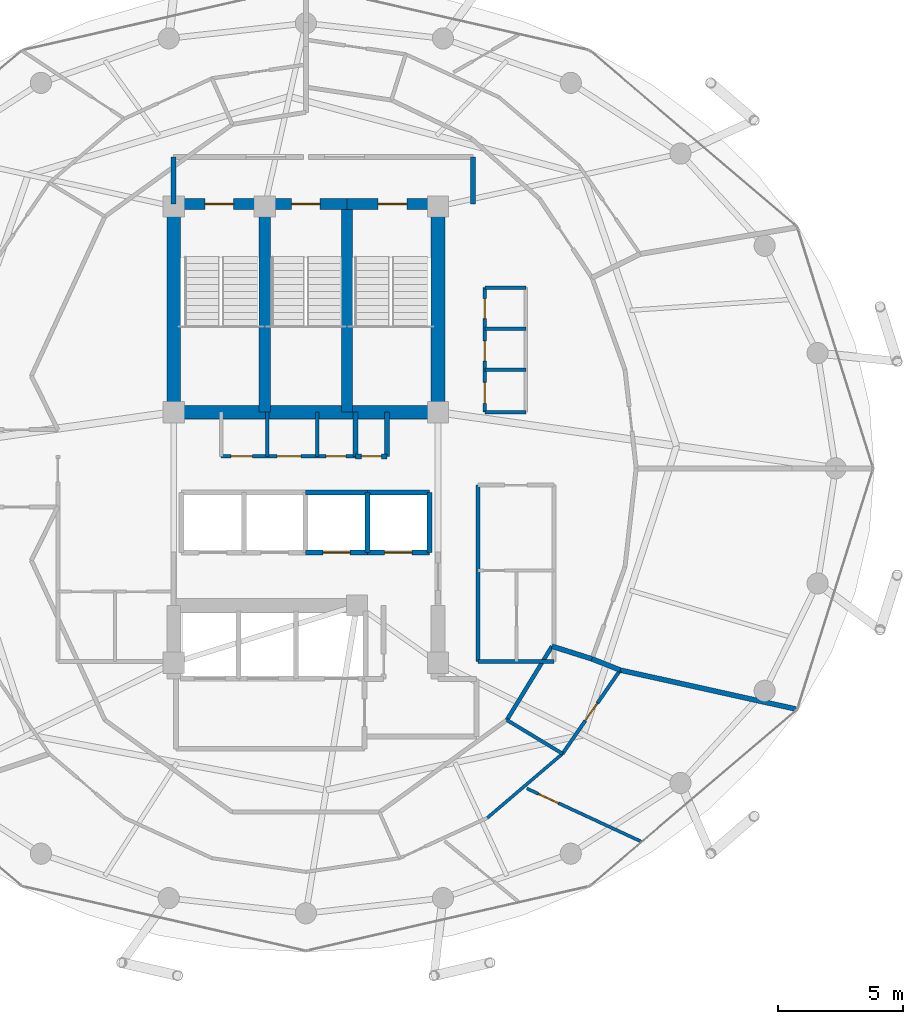
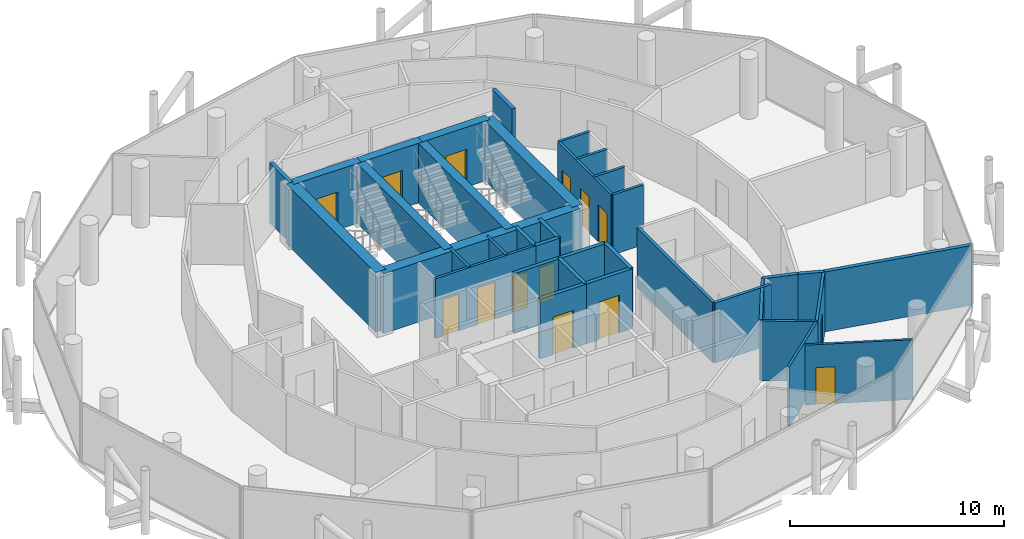
# One storey, part 24 of 27: 37 walls, 14 doors, 14 openings.
"""IFC4 building model written with IfcOpenShell, lengths in metres."""

from ifc_helpers import new_model, si_unit, direction, frame, frame_2d, origin, place, context, subcontext, project, spatial, rectangle, extrude, material, layer, layer_set, type_object, element, fill, save


model = new_model("IFC4")

# Units and contexts
model_context = context("Model", 3, precision=1e-05, world=origin(), true_north=direction((0.0, 1.0)))
body_context = subcontext(model_context, "Body", "Model", "MODEL_VIEW")
ifc_project = project(units=[si_unit("LENGTHUNIT", "METRE"), si_unit("AREAUNIT", "SQUARE_METRE"), si_unit("VOLUMEUNIT", "CUBIC_METRE"), si_unit("PLANEANGLEUNIT", "RADIAN"), si_unit("MASSUNIT", "GRAM", prefix="KILO")], contexts=[model_context])

# Site, building, storey
site_placement = place(None, origin())
site = spatial("IfcSite", under=ifc_project, at=site_placement, CompositionType="ELEMENT")
building_placement = place(site_placement, origin())
building = spatial("IfcBuilding", under=site, at=building_placement, Name="Nuhasar Tower", CompositionType="ELEMENT")
storey_placement = place(building_placement, frame((0.0, 0.0, 233.699951171875)))
storey = spatial("IfcBuildingStorey", under=building, at=storey_placement, Name="L57", CompositionType="ELEMENT", Elevation=233.699951171875)

# Wall, opening, door
ifc_material_1 = material(Name="Concrete C50/60", Category="concrete")
ifc_layer_1 = layer(ifc_material_1, 0.449951171875)
ifc_layer_set_1 = layer_set([ifc_layer_1], Name="Concrete C50/60")
wall_type_1 = type_object("IfcWallType", Name="WL-CORE-450", PredefinedType="SHEAR", material=ifc_layer_set_1)
wall_1_placement = place(storey_placement, frame((37.35009765625, 37.39990234375, 0.0), z_axis=(0.0, 0.0, 1.0), x_axis=(-1.0, 0.0, 0.0)))
wall_1 = element("IfcWall", 1, at=wall_1_placement, inside=storey, type_object=wall_type_1, Name="L57 Stairwell Shear Wall ST01-N", PredefinedType="SHEAR", context=body_context, shape_type="SweptSolid", body=[
    extrude(rectangle(XDim=3.650146484375, YDim=0.449951171875, at=frame_2d((1.8251953125, 0.0))), origin(), (0.0, 0.0, 1.0), 3.41015625),
])
opening_1_placement = place(wall_1_placement, frame((1.25, 0.0, 0.0)))
opening_1 = element("IfcOpeningElement", 2, at=opening_1_placement, cuts=wall_1, Name="Opening DS-01", PredefinedType="OPENING", context=body_context, shape_type="SweptSolid", body=[
    extrude(rectangle(XDim=1.14990234375, YDim=2.14990234375, at=frame_2d((0.574951171875, 1.074951171875))), frame((0.0, 0.23486328125, 0.0), z_axis=(0.0, -1.0, 0.0), x_axis=(1.0, 0.0, 0.0)), (0.0, 0.0, 1.0), 0.469970703125),
])
ifc_material_2 = material(Name="Steel S355", Category="steel")
door_type_1 = type_object("IfcDoorType", Name="DR-STAIR-FD120-1150", OperationType="NOTDEFINED", PredefinedType="DOOR", material=ifc_material_2)
door_1_placement = place(opening_1_placement, origin())
door_1 = element("IfcDoor", 3, at=door_1_placement, inside=storey, type_object=door_type_1, Name="L57 Exit Stair ST-01 Door", OperationType="SINGLE_SWING_RIGHT", OverallHeight=2.14990234375, OverallWidth=1.14990234375, PredefinedType="DOOR", context=body_context, shape_type="SweptSolid", body=[
    extrude(rectangle(XDim=1.14990234375, YDim=2.14990234375, at=frame_2d((0.574951171875, 1.074951171875))), frame((0.0, 0.02490234375, 0.0), z_axis=(0.0, -1.0, 0.0), x_axis=(1.0, 0.0, 0.0)), (0.0, 0.0, 1.0), 0.050048828125),
])
fill(opening_1, door_1)

# Wall
wall_2_placement = place(storey_placement, frame((37.35009765625, 29.050048828125, 0.0), z_axis=(0.0, 0.0, 1.0), x_axis=(0.0, 1.0, 0.0)))
element("IfcWall", 4, at=wall_2_placement, inside=storey, type_object=wall_type_1, Name="L57 Stairwell Shear Wall ST01-E", PredefinedType="SHEAR", context=body_context, shape_type="SweptSolid", body=[
    extrude(rectangle(XDim=8.349853515625, YDim=0.449951171875, at=frame_2d((4.1748046875, 0.0))), origin(), (0.0, 0.0, 1.0), 3.41015625),
])

# Wall, opening, door
wall_3_placement = place(storey_placement, frame((40.64990234375, 37.39990234375, 0.0), z_axis=(0.0, 0.0, 1.0), x_axis=(-1.0, 0.0, 0.0)))
wall_3 = element("IfcWall", 5, at=wall_3_placement, inside=storey, type_object=wall_type_1, Name="L57 Stairwell Shear Wall ST03-N", PredefinedType="SHEAR", context=body_context, shape_type="SweptSolid", body=[
    extrude(rectangle(XDim=3.2998046875, YDim=0.449951171875, at=frame_2d((1.64990234375, 0.0))), origin(), (0.0, 0.0, 1.0), 3.41015625),
])
opening_2_placement = place(wall_3_placement, frame((1.074951171875, 0.0, 0.0)))
opening_2 = element("IfcOpeningElement", 6, at=opening_2_placement, cuts=wall_3, Name="Opening DS-01", PredefinedType="OPENING", context=body_context, shape_type="SweptSolid", body=[
    extrude(rectangle(XDim=1.14990234375, YDim=2.14990234375, at=frame_2d((0.574951171875, 1.074951171875))), frame((0.0, 0.23486328125, 0.0), z_axis=(0.0, -1.0, 0.0), x_axis=(1.0, 0.0, 0.0)), (0.0, 0.0, 1.0), 0.469970703125),
])
door_2_placement = place(opening_2_placement, origin())
door_2 = element("IfcDoor", 7, at=door_2_placement, inside=storey, type_object=door_type_1, Name="L57 Exit Stair ST-03 Door", OperationType="SINGLE_SWING_RIGHT", OverallHeight=2.14990234375, OverallWidth=1.14990234375, PredefinedType="DOOR", context=body_context, shape_type="SweptSolid", body=[
    extrude(rectangle(XDim=1.14990234375, YDim=2.14990234375, at=frame_2d((0.574951171875, 1.074951171875))), frame((0.0, 0.02490234375, 0.0), z_axis=(0.0, -1.0, 0.0), x_axis=(1.0, 0.0, 0.0)), (0.0, 0.0, 1.0), 0.050048828125),
])
fill(opening_2, door_2)

# Wall
wall_4_placement = place(storey_placement, frame((40.64990234375, 29.050048828125, 0.0), z_axis=(0.0, 0.0, 1.0), x_axis=(0.0, 1.0, 0.0)))
element("IfcWall", 8, at=wall_4_placement, inside=storey, type_object=wall_type_1, Name="L57 Stairwell Shear Wall ST03-E", PredefinedType="SHEAR", context=body_context, shape_type="SweptSolid", body=[
    extrude(rectangle(XDim=8.349853515625, YDim=0.449951171875, at=frame_2d((4.1748046875, 0.0))), origin(), (0.0, 0.0, 1.0), 3.41015625),
])

# Wall, opening, door
wall_5_placement = place(storey_placement, frame((44.300048828125, 37.39990234375, 0.0), z_axis=(0.0, 0.0, 1.0), x_axis=(-1.0, 0.0, 0.0)))
wall_5 = element("IfcWall", 9, at=wall_5_placement, inside=storey, type_object=wall_type_1, Name="L57 Stairwell Shear Wall ST02-N", PredefinedType="SHEAR", context=body_context, shape_type="SweptSolid", body=[
    extrude(rectangle(XDim=3.650146484375, YDim=0.449951171875, at=frame_2d((1.8251953125, 0.0))), origin(), (0.0, 0.0, 1.0), 3.41015625),
])
opening_3_placement = place(wall_5_placement, frame((1.25, 0.0, 0.0)))
opening_3 = element("IfcOpeningElement", 10, at=opening_3_placement, cuts=wall_5, Name="Opening DS-01", PredefinedType="OPENING", context=body_context, shape_type="SweptSolid", body=[
    extrude(rectangle(XDim=1.14990234375, YDim=2.14990234375, at=frame_2d((0.574951171875, 1.074951171875))), frame((0.0, 0.23486328125, 0.0), z_axis=(0.0, -1.0, 0.0), x_axis=(1.0, 0.0, 0.0)), (0.0, 0.0, 1.0), 0.469970703125),
])
door_3_placement = place(opening_3_placement, origin())
door_3 = element("IfcDoor", 11, at=door_3_placement, inside=storey, type_object=door_type_1, Name="L57 Exit Stair ST-02 Door", OperationType="SINGLE_SWING_LEFT", OverallHeight=2.14990234375, OverallWidth=1.14990234375, PredefinedType="DOOR", context=body_context, shape_type="SweptSolid", body=[
    extrude(rectangle(XDim=1.14990234375, YDim=2.14990234375, at=frame_2d((0.574951171875, 1.074951171875))), frame((0.0, 0.02490234375, 0.0), z_axis=(0.0, -1.0, 0.0), x_axis=(1.0, 0.0, 0.0)), (0.0, 0.0, 1.0), 0.050048828125),
])
fill(opening_3, door_3)

# Walls
ifc_material_3 = material(Name="Concrete C55/67", Category="concrete")
ifc_layer_2 = layer(ifc_material_3, 0.550048828125)
ifc_layer_set_2 = layer_set([ifc_layer_2], Name="Concrete C55/67")
wall_type_2 = type_object("IfcWallType", Name="WL-CORE-550", PredefinedType="SHEAR", material=ifc_layer_set_2)
for number, where, z_axis, x_axis, name in (
    (12, (33.699951171875, 29.050048828125, 0.0), (0.0, 0.0, 1.0), (0.0, 1.0, 0.0), "L57 Core Shear Wall CW-NW CW-550"),
    (13, (44.300048828125, 29.050048828125, 0.0), (0.0, 0.0, 1.0), (0.0, 1.0, 0.0), "L57 Core Shear Wall CW-NE CW-550"),
):
    element("IfcWall", number, at=place(storey_placement, frame(where, z_axis=z_axis, x_axis=x_axis)), inside=storey, type_object=wall_type_2, Name=name, PredefinedType="SHEAR", context=body_context, shape_type="SweptSolid", body=[
        extrude(rectangle(XDim=8.349853515625, YDim=0.550048828125, at=frame_2d((4.1748046875, 0.0))), origin(), (0.0, 0.0, 1.0), 3.41015625),
    ])
wall_6_placement = place(storey_placement, frame((33.699951171875, 29.050048828125, 0.0), z_axis=(0.0, 0.0, 1.0), x_axis=(1.0, 0.0, 0.0)))
element("IfcWall", 14, at=wall_6_placement, inside=storey, type_object=wall_type_2, Name="L57 Core Shear Wall CW-N1 CW-550", PredefinedType="SHEAR", context=body_context, shape_type="SweptSolid", body=[
    extrude(rectangle(XDim=10.60009765625, YDim=0.550048828125, at=frame_2d((5.300048828125, 0.0))), origin(), (0.0, 0.0, 1.0), 3.41015625),
])
ifc_material_4 = material(Name="Gypsum Board", Category="gypsum")
ifc_layer_3 = layer(ifc_material_4, 0.159912109375)
ifc_layer_set_3 = layer_set([ifc_layer_3], Name="Gypsum Board")
wall_type_3 = type_object("IfcWallType", Name="WL-CORR-160", PredefinedType="PARTITIONING", material=ifc_layer_set_3)
wall_7_placement = place(storey_placement, frame((45.89990234375, 19.050048828125, 0.0), z_axis=(0.0, 0.0, 1.0), x_axis=(1.0, 0.0, 0.0)))
element("IfcWall", 15, at=wall_7_placement, inside=storey, type_object=wall_type_3, Name="L57 Interior Partition RECL-B2-S", PredefinedType="PARTITIONING", context=body_context, shape_type="SweptSolid", body=[
    extrude(rectangle(XDim=3.050048828125, YDim=0.159912109375, at=frame_2d((1.52490234375, 0.0))), origin(), (0.0, 0.0, 1.0), 3.41015625),
])
wall_8_placement = place(storey_placement, frame((45.89990234375, 19.050048828125, 0.0), z_axis=(0.0, 0.0, 1.0), x_axis=(0.0, 1.0, 0.0)))
element("IfcWall", 16, at=wall_8_placement, inside=storey, type_object=wall_type_3, Name="L57 Interior Partition RECL-B2-W", PredefinedType="PARTITIONING", context=body_context, shape_type="SweptSolid", body=[
    extrude(rectangle(XDim=7.070068359375, YDim=0.159912109375, at=frame_2d((3.53515625, 0.0))), origin(), (0.0, 0.0, 1.0), 3.41015625),
])
wall_9_placement = place(storey_placement, frame((47.06103515625, 16.702880859375, 0.0), z_axis=(0.0, 0.0, 1.0), x_axis=(0.522486120877, 0.852647789823, 0.0)))
element("IfcWall", 17, at=wall_9_placement, inside=storey, type_object=wall_type_3, Name="L57 Interior Partition UWEST-CORE-S2-42", PredefinedType="PARTITIONING", context=body_context, shape_type="SweptSolid", body=[
    extrude(rectangle(XDim=3.468017578125, YDim=0.159912109375, at=frame_2d((1.73388671875, 0.0))), origin(), (0.0, 0.0, 1.0), 3.41015625),
])
ifc_material_5 = material(Name="Concrete C45/55", Category="concrete")
ifc_layer_4 = layer(ifc_material_5, 0.199951171875)
ifc_layer_set_4 = layer_set([ifc_layer_4], Name="Concrete C45/55")
wall_type_4 = type_object("IfcWallType", Name="WL-LOBBY-200", PredefinedType="SOLIDWALL", material=ifc_layer_set_4)
for number, where, z_axis, x_axis, name in (
    (18, (33.699951171875, 37.39990234375, 0.0), (0.0, 0.0, 1.0), (0.0, 1.0, 0.0), "L57 Interior Partition NSL-W"),
    (19, (45.699951171875, 37.39990234375, 0.0), (0.0, 0.0, 1.0), (0.0, 1.0, 0.0), "L57 Interior Partition NSL-E"),
):
    element("IfcWall", number, at=place(storey_placement, frame(where, z_axis=z_axis, x_axis=x_axis)), inside=storey, type_object=wall_type_4, Name=name, PredefinedType="SOLIDWALL", context=body_context, shape_type="SweptSolid", body=[
        extrude(rectangle(XDim=1.880126953125, YDim=0.199951171875, at=frame_2d((0.93994140625, 0.0))), origin(), (0.0, 0.0, 1.0), 3.41015625),
    ])
ifc_layer_5 = layer(ifc_material_4, 0.125)
ifc_layer_set_5 = layer_set([ifc_layer_5], Name="Gypsum Board")
wall_type_5 = type_object("IfcWallType", Name="WL-PART-125", PredefinedType="PARTITIONING", material=ifc_layer_set_5)
wall_10_placement = place(storey_placement, frame((46.280029296875, 12.779052734375, 0.0), z_axis=(0.0, 0.0, 1.0), x_axis=(0.760650552049, 0.64916156515, 0.0)))
element("IfcWall", 20, at=wall_10_placement, inside=storey, type_object=wall_type_5, Name="L57 Interior Partition USM-2-K-40", PredefinedType="PARTITIONING", context=body_context, shape_type="SweptSolid", body=[
    extrude(rectangle(XDim=3.963623046875, YDim=0.125, at=frame_2d((1.98193359375, 0.0))), origin(), (0.0, 0.0, 1.0), 3.41015625),
])

# Wall, opening, door
wall_11_placement = place(storey_placement, frame((47.864013671875, 13.9560546875, 0.0), z_axis=(0.0, 0.0, 1.0), x_axis=(0.907116504573, -0.420879611209, 0.0)))
wall_11 = element("IfcWall", 21, at=wall_11_placement, inside=storey, type_object=wall_type_5, Name="L57 Interior Partition USO-2-B2", PredefinedType="PARTITIONING", context=body_context, shape_type="SweptSolid", body=[
    extrude(rectangle(XDim=5.046630859375, YDim=0.125, at=frame_2d((2.5234375, 0.0))), origin(), (0.0, 0.0, 1.0), 3.41015625),
])
opening_4_placement = place(wall_11_placement, frame((0.50390625, 0.0, 0.0)))
opening_4 = element("IfcOpeningElement", 22, at=opening_4_placement, cuts=wall_11, Name="Opening DR-01", PredefinedType="OPENING", context=body_context, shape_type="SweptSolid", body=[
    extrude(rectangle(XDim=0.89990234375, YDim=2.10009765625, at=frame_2d((0.449951171875, 1.050048828125))), frame((0.0, 0.072509765625, 0.0), z_axis=(0.0, -1.0, 0.0), x_axis=(1.0, 0.0, 0.0)), (0.0, 0.0, 1.0), 0.14501953125),
])
ifc_material_6 = material(Name="Timber Oak", Category="wood")
door_type_2 = type_object("IfcDoorType", Name="DR-ROOM-900", OperationType="NOTDEFINED", PredefinedType="DOOR", material=ifc_material_6)
door_4_placement = place(opening_4_placement, origin())
door_4 = element("IfcDoor", 23, at=door_4_placement, inside=storey, type_object=door_type_2, Name="L57 South-West Sky Home Master Bedroom Door", OperationType="SINGLE_SWING_LEFT", OverallHeight=2.10009765625, OverallWidth=0.89990234375, PredefinedType="DOOR", context=body_context, shape_type="SweptSolid", body=[
    extrude(rectangle(XDim=0.89990234375, YDim=2.10009765625, at=frame_2d((0.449951171875, 1.050048828125))), frame((0.0, 0.02490234375, 0.0), z_axis=(0.0, -1.0, 0.0), x_axis=(1.0, 0.0, 0.0)), (0.0, 0.0, 1.0), 0.050048828125),
])
fill(opening_4, door_4)

# Walls
ifc_layer_6 = layer(ifc_material_5, 0.199951171875)
ifc_layer_set_6 = layer_set([ifc_layer_6], Name="Concrete C45/55")
wall_type_6 = type_object("IfcWallType", Name="WL-SHAFT-200", PredefinedType="SOLIDWALL", material=ifc_layer_set_6)
for number, where, z_axis, x_axis, name in (
    (24, (41.0, 27.280029296875, 0.0), (0.0, 0.0, 1.0), (0.0, 1.0, 0.0), "L57 Interior Partition RSRN-W"),
    (25, (42.260009765625, 27.280029296875, 0.0), (0.0, 0.0, 1.0), (0.0, 1.0, 0.0), "L57 Interior Partition RSRN-E"),
):
    element("IfcWall", number, at=place(storey_placement, frame(where, z_axis=z_axis, x_axis=x_axis)), inside=storey, type_object=wall_type_6, Name=name, PredefinedType="SOLIDWALL", context=body_context, shape_type="SweptSolid", body=[
        extrude(rectangle(XDim=1.77001953125, YDim=0.199951171875, at=frame_2d((0.885009765625, 0.0))), origin(), (0.0, 0.0, 1.0), 3.41015625),
    ])

# Wall, opening, door
wall_12_placement = place(storey_placement, frame((41.0, 27.280029296875, 0.0), z_axis=(0.0, 0.0, 1.0), x_axis=(1.0, 0.0, 0.0)))
wall_12 = element("IfcWall", 26, at=wall_12_placement, inside=storey, type_object=wall_type_6, Name="L57 Interior Partition RSRN-S", PredefinedType="SOLIDWALL", context=body_context, shape_type="SweptSolid", body=[
    extrude(rectangle(XDim=1.260009765625, YDim=0.199951171875, at=frame_2d((0.6298828125, 0.0))), origin(), (0.0, 0.0, 1.0), 3.41015625),
])
opening_5_placement = place(wall_12_placement, frame((0.22998046875, 0.0, 0.0)))
opening_5 = element("IfcOpeningElement", 27, at=opening_5_placement, cuts=wall_12, Name="Opening DM-01", PredefinedType="OPENING", context=body_context, shape_type="SweptSolid", body=[
    extrude(rectangle(XDim=0.800048828125, YDim=2.050048828125, at=frame_2d((0.39990234375, 1.02490234375))), frame((0.0, 0.10986328125, 0.0), z_axis=(0.0, -1.0, 0.0), x_axis=(1.0, 0.0, 0.0)), (0.0, 0.0, 1.0), 0.219970703125),
])
door_type_3 = type_object("IfcDoorType", Name="DR-RISER-FD60-800", OperationType="NOTDEFINED", PredefinedType="DOOR", material=ifc_material_2)
door_5_placement = place(opening_5_placement, origin())
door_5 = element("IfcDoor", 28, at=door_5_placement, inside=storey, type_object=door_type_3, Name="L57 North Smoke Riser Door", OperationType="SINGLE_SWING_RIGHT", OverallHeight=2.050048828125, OverallWidth=0.800048828125, PredefinedType="DOOR", context=body_context, shape_type="SweptSolid", body=[
    extrude(rectangle(XDim=0.800048828125, YDim=2.050048828125, at=frame_2d((0.39990234375, 1.02490234375))), frame((0.0, 0.02490234375, 0.0), z_axis=(0.0, -1.0, 0.0), x_axis=(1.0, 0.0, 0.0)), (0.0, 0.0, 1.0), 0.050048828125),
])
fill(opening_5, door_5)

wall_13_placement = place(storey_placement, frame((38.97998046875, 23.419921875, 0.0), z_axis=(0.0, 0.0, 1.0), x_axis=(1.0, 0.0, 0.0)))
wall_13 = element("IfcWall", 29, at=wall_13_placement, inside=storey, type_object=wall_type_6, Name="L57 Interior Partition SHF-PL-H03-S", PredefinedType="SOLIDWALL", context=body_context, shape_type="SweptSolid", body=[
    extrude(rectangle(XDim=2.5, YDim=0.199951171875, at=frame_2d((1.25, 0.0))), origin(), (0.0, 0.0, 1.0), 3.41015625),
])
opening_6_placement = place(wall_13_placement, frame((0.699951171875, 0.0, 0.0)))
opening_6 = element("IfcOpeningElement", 30, at=opening_6_placement, cuts=wall_13, Name="Opening LD-H03", PredefinedType="OPENING", context=body_context, shape_type="SweptSolid", body=[
    extrude(rectangle(XDim=1.10009765625, YDim=2.14990234375, at=frame_2d((0.550048828125, 1.074951171875))), frame((0.0, 0.10986328125, 0.0), z_axis=(0.0, -1.0, 0.0), x_axis=(1.0, 0.0, 0.0)), (0.0, 0.0, 1.0), 0.219970703125),
])
ifc_material_7 = material(Name="Stainless Steel 316L", Category="steel")
door_type_4 = type_object("IfcDoorType", Name="LD-PAX-1100", OperationType="DOUBLE_DOOR_SLIDING", PredefinedType="DOOR", material=ifc_material_7)
door_6_placement = place(opening_6_placement, origin())
door_6 = element("IfcDoor", 31, at=door_6_placement, inside=storey, type_object=door_type_4, Name="L57 Lift Landing Door PL-H03", OperationType="DOUBLE_DOOR_SLIDING", OverallHeight=2.14990234375, OverallWidth=1.10009765625, PredefinedType="DOOR", context=body_context, shape_type="SweptSolid", body=[
    extrude(rectangle(XDim=1.10009765625, YDim=2.14990234375, at=frame_2d((0.550048828125, 1.074951171875))), frame((0.0, 0.02490234375, 0.0), z_axis=(0.0, -1.0, 0.0), x_axis=(1.0, 0.0, 0.0)), (0.0, 0.0, 1.0), 0.050048828125),
])
fill(opening_6, door_6)

# Walls
wall_14_placement = place(storey_placement, frame((38.97998046875, 25.830078125, 0.0), z_axis=(0.0, 0.0, 1.0), x_axis=(1.0, 0.0, 0.0)))
element("IfcWall", 32, at=wall_14_placement, inside=storey, type_object=wall_type_6, Name="L57 Interior Partition SHF-PL-H03-N", PredefinedType="SOLIDWALL", context=body_context, shape_type="SweptSolid", body=[
    extrude(rectangle(XDim=2.5, YDim=0.199951171875, at=frame_2d((1.25, 0.0))), origin(), (0.0, 0.0, 1.0), 3.41015625),
])
wall_15_placement = place(storey_placement, frame((41.469970703125, 23.419921875, 0.0), z_axis=(0.0, 0.0, 1.0), x_axis=(0.0, 1.0, 0.0)))
element("IfcWall", 33, at=wall_15_placement, inside=storey, type_object=wall_type_6, Name="L57 Interior Partition SHF-PL-H03-E", PredefinedType="SOLIDWALL", context=body_context, shape_type="SweptSolid", body=[
    extrude(rectangle(XDim=2.41015625, YDim=0.199951171875, at=frame_2d((1.205078125, 0.0))), origin(), (0.0, 0.0, 1.0), 3.41015625),
])

# Wall, opening, door
wall_16_placement = place(storey_placement, frame((41.4599609375, 23.419921875, 0.0), z_axis=(0.0, 0.0, 1.0), x_axis=(1.0, 0.0, 0.0)))
wall_16 = element("IfcWall", 34, at=wall_16_placement, inside=storey, type_object=wall_type_6, Name="L57 Interior Partition SHF-PL-H04-S", PredefinedType="SOLIDWALL", context=body_context, shape_type="SweptSolid", body=[
    extrude(rectangle(XDim=2.5, YDim=0.199951171875, at=frame_2d((1.25, 0.0))), origin(), (0.0, 0.0, 1.0), 3.41015625),
])
opening_7_placement = place(wall_16_placement, frame((0.699951171875, 0.0, 0.0)))
opening_7 = element("IfcOpeningElement", 35, at=opening_7_placement, cuts=wall_16, Name="Opening LD-H04", PredefinedType="OPENING", context=body_context, shape_type="SweptSolid", body=[
    extrude(rectangle(XDim=1.10009765625, YDim=2.14990234375, at=frame_2d((0.550048828125, 1.074951171875))), frame((0.0, 0.10986328125, 0.0), z_axis=(0.0, -1.0, 0.0), x_axis=(1.0, 0.0, 0.0)), (0.0, 0.0, 1.0), 0.219970703125),
])
door_7_placement = place(opening_7_placement, origin())
door_7 = element("IfcDoor", 36, at=door_7_placement, inside=storey, type_object=door_type_4, Name="L57 Lift Landing Door PL-H04", OperationType="DOUBLE_DOOR_SLIDING", OverallHeight=2.14990234375, OverallWidth=1.10009765625, PredefinedType="DOOR", context=body_context, shape_type="SweptSolid", body=[
    extrude(rectangle(XDim=1.10009765625, YDim=2.14990234375, at=frame_2d((0.550048828125, 1.074951171875))), frame((0.0, 0.02490234375, 0.0), z_axis=(0.0, -1.0, 0.0), x_axis=(1.0, 0.0, 0.0)), (0.0, 0.0, 1.0), 0.050048828125),
])
fill(opening_7, door_7)

# Walls
wall_17_placement = place(storey_placement, frame((41.4599609375, 25.830078125, 0.0), z_axis=(0.0, 0.0, 1.0), x_axis=(1.0, 0.0, 0.0)))
element("IfcWall", 37, at=wall_17_placement, inside=storey, type_object=wall_type_6, Name="L57 Interior Partition SHF-PL-H04-N", PredefinedType="SOLIDWALL", context=body_context, shape_type="SweptSolid", body=[
    extrude(rectangle(XDim=2.5, YDim=0.199951171875, at=frame_2d((1.25, 0.0))), origin(), (0.0, 0.0, 1.0), 3.41015625),
])
wall_18_placement = place(storey_placement, frame((43.9599609375, 23.419921875, 0.0), z_axis=(0.0, 0.0, 1.0), x_axis=(0.0, 1.0, 0.0)))
element("IfcWall", 38, at=wall_18_placement, inside=storey, type_object=wall_type_6, Name="L57 Interior Partition SHF-PL-H04-E", PredefinedType="SOLIDWALL", context=body_context, shape_type="SweptSolid", body=[
    extrude(rectangle(XDim=2.41015625, YDim=0.199951171875, at=frame_2d((1.205078125, 0.0))), origin(), (0.0, 0.0, 1.0), 3.41015625),
])
ifc_material_8 = material(Name="Concrete C40/50 precast", Category="concrete")
ifc_layer_7 = layer(ifc_material_8, 0.199951171875)
ifc_layer_set_7 = layer_set([ifc_layer_7], Name="Concrete C40/50 precast")
wall_type_7 = type_object("IfcWallType", Name="WL-UNIT-200", PredefinedType="PARTITIONING", material=ifc_layer_set_7)
wall_19_placement = place(storey_placement, frame((48.873046875, 19.659912109375, 0.0), z_axis=(0.0, 0.0, 1.0), x_axis=(0.953758235549, -0.30057482949, 0.0)))
element("IfcWall", 39, at=wall_19_placement, inside=storey, type_object=wall_type_7, Name="L57 Interior Partition URAD-44-SW-S1", PredefinedType="PARTITIONING", context=body_context, shape_type="SweptSolid", body=[
    extrude(rectangle(XDim=1.6796875, YDim=0.199951171875, at=frame_2d((0.83984375, 0.0))), origin(), (0.0, 0.0, 1.0), 3.41015625),
])
wall_20_placement = place(storey_placement, frame((50.47509765625, 19.155029296875, 0.0), z_axis=(0.0, 0.0, 1.0), x_axis=(0.929480908275, -0.368870222642, 0.0)))
element("IfcWall", 40, at=wall_20_placement, inside=storey, type_object=wall_type_7, Name="L57 Interior Partition URAD-44-SW-S2", PredefinedType="PARTITIONING", context=body_context, shape_type="SweptSolid", body=[
    extrude(rectangle(XDim=1.2197265625, YDim=0.199951171875, at=frame_2d((0.60986328125, 0.0))), origin(), (0.0, 0.0, 1.0), 3.41015625),
])
wall_21_placement = place(storey_placement, frame((51.60888671875, 18.705078125, 0.0), z_axis=(0.0, 0.0, 1.0), x_axis=(0.976281349857, -0.216505717989, 0.0)))
element("IfcWall", 41, at=wall_21_placement, inside=storey, type_object=wall_type_7, Name="L57 Interior Partition URAD-44-SW-S3", PredefinedType="PARTITIONING", context=body_context, shape_type="SweptSolid", body=[
    extrude(rectangle(XDim=7.242919921875, YDim=0.199951171875, at=frame_2d((3.62158203125, 0.0))), origin(), (0.0, 0.0, 1.0), 3.41015625),
])

# Wall, openings, doors
ifc_layer_8 = layer(ifc_material_8, 0.139892578125)
ifc_layer_set_8 = layer_set([ifc_layer_8], Name="Concrete C40/50 precast")
wall_type_8 = type_object("IfcWallType", Name="WL-WET-140", PredefinedType="PARTITIONING", material=ifc_layer_set_8)
wall_22_placement = place(storey_placement, frame((35.60009765625, 27.280029296875, 0.0), z_axis=(0.0, 0.0, 1.0), x_axis=(1.0, 0.0, 0.0)))
wall_22 = element("IfcWall", 42, at=wall_22_placement, inside=storey, type_object=wall_type_8, Name="L57 Interior Partition CSVC-S", PredefinedType="PARTITIONING", context=body_context, shape_type="SweptSolid", body=[
    extrude(rectangle(XDim=5.39990234375, YDim=0.139892578125, at=frame_2d((2.699951171875, 0.0))), origin(), (0.0, 0.0, 1.0), 3.41015625),
])
opening_8_placement = place(wall_22_placement, frame((0.39990234375, 0.0, 0.0)))
opening_8 = element("IfcOpeningElement", 43, at=opening_8_placement, cuts=wall_22, Name="Opening DB-01", PredefinedType="OPENING", context=body_context, shape_type="SweptSolid", body=[
    extrude(rectangle(XDim=0.85009765625, YDim=2.10009765625, at=frame_2d((0.425048828125, 1.050048828125))), frame((0.0, 0.080078125, 0.0), z_axis=(0.0, -1.0, 0.0), x_axis=(1.0, 0.0, 0.0)), (0.0, 0.0, 1.0), 0.159912109375),
])
opening_9_placement = place(wall_22_placement, frame((2.25, 0.0, 0.0)))
opening_9 = element("IfcOpeningElement", 44, at=opening_9_placement, cuts=wall_22, Name="Opening DA-01", PredefinedType="OPENING", context=body_context, shape_type="SweptSolid", body=[
    extrude(rectangle(XDim=0.949951171875, YDim=2.10009765625, at=frame_2d((0.47509765625, 1.050048828125))), frame((0.0, 0.080078125, 0.0), z_axis=(0.0, -1.0, 0.0), x_axis=(1.0, 0.0, 0.0)), (0.0, 0.0, 1.0), 0.159912109375),
])
opening_10_placement = place(wall_22_placement, frame((4.199951171875, 0.0, 0.0)))
opening_10 = element("IfcOpeningElement", 45, at=opening_10_placement, cuts=wall_22, Name="Opening DM-01", PredefinedType="OPENING", context=body_context, shape_type="SweptSolid", body=[
    extrude(rectangle(XDim=0.800048828125, YDim=2.050048828125, at=frame_2d((0.39990234375, 1.02490234375))), frame((0.0, 0.080078125, 0.0), z_axis=(0.0, -1.0, 0.0), x_axis=(1.0, 0.0, 0.0)), (0.0, 0.0, 1.0), 0.159912109375),
])
door_type_5 = type_object("IfcDoorType", Name="DR-ACCWC-950", OperationType="NOTDEFINED", PredefinedType="DOOR", material=ifc_material_6)
door_8_placement = place(opening_9_placement, origin())
door_8 = element("IfcDoor", 46, at=door_8_placement, inside=storey, type_object=door_type_5, Name="L57 Core Accessible WC Door", OperationType="SINGLE_SWING_RIGHT", OverallHeight=2.10009765625, OverallWidth=0.949951171875, PredefinedType="DOOR", context=body_context, shape_type="SweptSolid", body=[
    extrude(rectangle(XDim=0.949951171875, YDim=2.10009765625, at=frame_2d((0.47509765625, 1.050048828125))), frame((0.0, 0.02490234375, 0.0), z_axis=(0.0, -1.0, 0.0), x_axis=(1.0, 0.0, 0.0)), (0.0, 0.0, 1.0), 0.050048828125),
])
fill(opening_9, door_8)
door_type_6 = type_object("IfcDoorType", Name="DR-BATH-850", OperationType="NOTDEFINED", PredefinedType="DOOR", material=ifc_material_6)
door_9_placement = place(opening_8_placement, origin())
door_9 = element("IfcDoor", 47, at=door_9_placement, inside=storey, type_object=door_type_6, Name="L57 Core Male WC Door", OperationType="SINGLE_SWING_LEFT", OverallHeight=2.10009765625, OverallWidth=0.85009765625, PredefinedType="DOOR", context=body_context, shape_type="SweptSolid", body=[
    extrude(rectangle(XDim=0.85009765625, YDim=2.10009765625, at=frame_2d((0.425048828125, 1.050048828125))), frame((0.0, 0.02490234375, 0.0), z_axis=(0.0, -1.0, 0.0), x_axis=(1.0, 0.0, 0.0)), (0.0, 0.0, 1.0), 0.050048828125),
])
fill(opening_8, door_9)
door_10_placement = place(opening_10_placement, origin())
door_10 = element("IfcDoor", 48, at=door_10_placement, inside=storey, type_object=door_type_3, Name="L57 Core Janitor Door", OperationType="SINGLE_SWING_RIGHT", OverallHeight=2.050048828125, OverallWidth=0.800048828125, PredefinedType="DOOR", context=body_context, shape_type="SweptSolid", body=[
    extrude(rectangle(XDim=0.800048828125, YDim=2.050048828125, at=frame_2d((0.39990234375, 1.02490234375))), frame((0.0, 0.02490234375, 0.0), z_axis=(0.0, -1.0, 0.0), x_axis=(1.0, 0.0, 0.0)), (0.0, 0.0, 1.0), 0.050048828125),
])
fill(opening_10, door_10)

# Walls
for number, where, z_axis, x_axis, name in (
    (49, (37.449951171875, 27.280029296875, 0.0), (0.0, 0.0, 1.0), (0.0, 1.0, 0.0), "L57 Interior Partition K1-P1"),
    (50, (39.449951171875, 27.280029296875, 0.0), (0.0, 0.0, 1.0), (0.0, 1.0, 0.0), "L57 Interior Partition K1-P2"),
):
    element("IfcWall", number, at=place(storey_placement, frame(where, z_axis=z_axis, x_axis=x_axis)), inside=storey, type_object=wall_type_8, Name=name, PredefinedType="PARTITIONING", context=body_context, shape_type="SweptSolid", body=[
        extrude(rectangle(XDim=1.77001953125, YDim=0.139892578125, at=frame_2d((0.885009765625, 0.0))), origin(), (0.0, 0.0, 1.0), 3.41015625),
    ])

# Wall, openings, doors
wall_23_placement = place(storey_placement, frame((46.179931640625, 34.050048828125, 0.0), z_axis=(0.0, 0.0, 1.0), x_axis=(0.0, -1.0, 0.0)))
wall_23 = element("IfcWall", 51, at=wall_23_placement, inside=storey, type_object=wall_type_8, Name="L57 Interior Partition K1-NE-W", PredefinedType="PARTITIONING", context=body_context, shape_type="SweptSolid", body=[
    extrude(rectangle(XDim=5.0, YDim=0.139892578125, at=frame_2d((2.5, 0.0))), origin(), (0.0, 0.0, 1.0), 3.41015625),
])
opening_11_placement = place(wall_23_placement, frame((3.800048828125, 0.0, 0.0)))
opening_11 = element("IfcOpeningElement", 52, at=opening_11_placement, cuts=wall_23, Name="Opening DB-01", PredefinedType="OPENING", context=body_context, shape_type="SweptSolid", body=[
    extrude(rectangle(XDim=0.85009765625, YDim=2.10009765625, at=frame_2d((0.425048828125, 1.050048828125))), frame((0.0, 0.080078125, 0.0), z_axis=(0.0, -1.0, 0.0), x_axis=(1.0, 0.0, 0.0)), (0.0, 0.0, 1.0), 0.159912109375),
])
opening_12_placement = place(wall_23_placement, frame((2.14990234375, 0.0, 0.0)))
opening_12 = element("IfcOpeningElement", 53, at=opening_12_placement, cuts=wall_23, Name="Opening DM-01", PredefinedType="OPENING", context=body_context, shape_type="SweptSolid", body=[
    extrude(rectangle(XDim=0.800048828125, YDim=2.050048828125, at=frame_2d((0.39990234375, 1.02490234375))), frame((0.0, 0.080078125, 0.0), z_axis=(0.0, -1.0, 0.0), x_axis=(1.0, 0.0, 0.0)), (0.0, 0.0, 1.0), 0.159912109375),
])
opening_13_placement = place(wall_23_placement, frame((0.449951171875, 0.0, 0.0)))
opening_13 = element("IfcOpeningElement", 54, at=opening_13_placement, cuts=wall_23, Name="Opening DM-01", PredefinedType="OPENING", context=body_context, shape_type="SweptSolid", body=[
    extrude(rectangle(XDim=0.800048828125, YDim=2.050048828125, at=frame_2d((0.39990234375, 1.02490234375))), frame((0.0, 0.080078125, 0.0), z_axis=(0.0, -1.0, 0.0), x_axis=(1.0, 0.0, 0.0)), (0.0, 0.0, 1.0), 0.159912109375),
])
door_11_placement = place(opening_11_placement, origin())
door_11 = element("IfcDoor", 55, at=door_11_placement, inside=storey, type_object=door_type_6, Name="L57 NE Female WC Door", OperationType="SINGLE_SWING_RIGHT", OverallHeight=2.10009765625, OverallWidth=0.85009765625, PredefinedType="DOOR", context=body_context, shape_type="SweptSolid", body=[
    extrude(rectangle(XDim=0.85009765625, YDim=2.10009765625, at=frame_2d((0.425048828125, 1.050048828125))), frame((0.0, 0.02490234375, 0.0), z_axis=(0.0, -1.0, 0.0), x_axis=(1.0, 0.0, 0.0)), (0.0, 0.0, 1.0), 0.050048828125),
])
fill(opening_11, door_11)
door_12_placement = place(opening_12_placement, origin())
door_12 = element("IfcDoor", 56, at=door_12_placement, inside=storey, type_object=door_type_3, Name="L57 NE Meter Door", OperationType="SINGLE_SWING_RIGHT", OverallHeight=2.050048828125, OverallWidth=0.800048828125, PredefinedType="DOOR", context=body_context, shape_type="SweptSolid", body=[
    extrude(rectangle(XDim=0.800048828125, YDim=2.050048828125, at=frame_2d((0.39990234375, 1.02490234375))), frame((0.0, 0.02490234375, 0.0), z_axis=(0.0, -1.0, 0.0), x_axis=(1.0, 0.0, 0.0)), (0.0, 0.0, 1.0), 0.050048828125),
])
fill(opening_12, door_12)
door_13_placement = place(opening_13_placement, origin())
door_13 = element("IfcDoor", 57, at=door_13_placement, inside=storey, type_object=door_type_3, Name="L57 NE Telecom Door", OperationType="SINGLE_SWING_LEFT", OverallHeight=2.050048828125, OverallWidth=0.800048828125, PredefinedType="DOOR", context=body_context, shape_type="SweptSolid", body=[
    extrude(rectangle(XDim=0.800048828125, YDim=2.050048828125, at=frame_2d((0.39990234375, 1.02490234375))), frame((0.0, 0.02490234375, 0.0), z_axis=(0.0, -1.0, 0.0), x_axis=(1.0, 0.0, 0.0)), (0.0, 0.0, 1.0), 0.050048828125),
])
fill(opening_13, door_13)

# Walls
for number, where, z_axis, x_axis, name in (
    (58, (46.179931640625, 29.050048828125, 0.0), (0.0, 0.0, 1.0), (1.0, 0.0, 0.0), "L57 Interior Partition K1-NE-S"),
    (59, (46.179931640625, 30.75, 0.0), (0.0, 0.0, 1.0), (1.0, 0.0, 0.0), "L57 Interior Partition K1-NE-M1"),
    (60, (46.179931640625, 32.39990234375, 0.0), (0.0, 0.0, 1.0), (1.0, 0.0, 0.0), "L57 Interior Partition K1-NE-M2"),
    (61, (46.179931640625, 34.050048828125, 0.0), (0.0, 0.0, 1.0), (1.0, 0.0, 0.0), "L57 Interior Partition K1-NE-N"),
):
    element("IfcWall", number, at=place(storey_placement, frame(where, z_axis=z_axis, x_axis=x_axis)), inside=storey, type_object=wall_type_8, Name=name, PredefinedType="PARTITIONING", context=body_context, shape_type="SweptSolid", body=[
        extrude(rectangle(XDim=1.64013671875, YDim=0.139892578125, at=frame_2d((0.820068359375, 0.0))), origin(), (0.0, 0.0, 1.0), 3.41015625),
    ])

# Wall, opening, door
wall_24_placement = place(storey_placement, frame((51.60888671875, 18.705078125, 0.0), z_axis=(0.0, 0.0, 1.0), x_axis=(-0.567987799291, -0.823036973566, 0.0)))
wall_24 = element("IfcWall", 62, at=wall_24_placement, inside=storey, type_object=wall_type_8, Name="L57 Interior Partition USM-2-B-42", PredefinedType="PARTITIONING", context=body_context, shape_type="SweptSolid", body=[
    extrude(rectangle(XDim=4.073974609375, YDim=0.139892578125, at=frame_2d((2.037109375, 0.0))), origin(), (0.0, 0.0, 1.0), 3.41015625),
])
opening_14_placement = place(wall_24_placement, frame((1.612060546875, 0.0, 0.0)))
opening_14 = element("IfcOpeningElement", 63, at=opening_14_placement, cuts=wall_24, Name="Opening DB-01", PredefinedType="OPENING", context=body_context, shape_type="SweptSolid", body=[
    extrude(rectangle(XDim=0.85009765625, YDim=2.10009765625, at=frame_2d((0.425048828125, 1.050048828125))), frame((0.0, 0.080078125, 0.0), z_axis=(0.0, -1.0, 0.0), x_axis=(1.0, 0.0, 0.0)), (0.0, 0.0, 1.0), 0.159912109375),
])
door_14_placement = place(opening_14_placement, origin())
door_14 = element("IfcDoor", 64, at=door_14_placement, inside=storey, type_object=door_type_6, Name="L57 South-West Sky Home En-Suite Door", OperationType="SINGLE_SWING_RIGHT", OverallHeight=2.10009765625, OverallWidth=0.85009765625, PredefinedType="DOOR", context=body_context, shape_type="SweptSolid", body=[
    extrude(rectangle(XDim=0.85009765625, YDim=2.10009765625, at=frame_2d((0.425048828125, 1.050048828125))), frame((0.0, 0.02490234375, 0.0), z_axis=(0.0, -1.0, 0.0), x_axis=(1.0, 0.0, 0.0)), (0.0, 0.0, 1.0), 0.050048828125),
])
fill(opening_14, door_14)

# Wall
wall_25_placement = place(storey_placement, frame((47.06103515625, 16.702880859375, 0.0), z_axis=(0.0, 0.0, 1.0), x_axis=(0.855713686338, -0.517449598525, 0.0)))
element("IfcWall", 65, at=wall_25_placement, inside=storey, type_object=wall_type_8, Name="L57 Interior Partition USI-2-KB", PredefinedType="PARTITIONING", context=body_context, shape_type="SweptSolid", body=[
    extrude(rectangle(XDim=2.610595703125, YDim=0.139892578125, at=frame_2d((1.30517578125, 0.0))), origin(), (0.0, 0.0, 1.0), 3.41015625),
])

save(model, "model.ifc")
